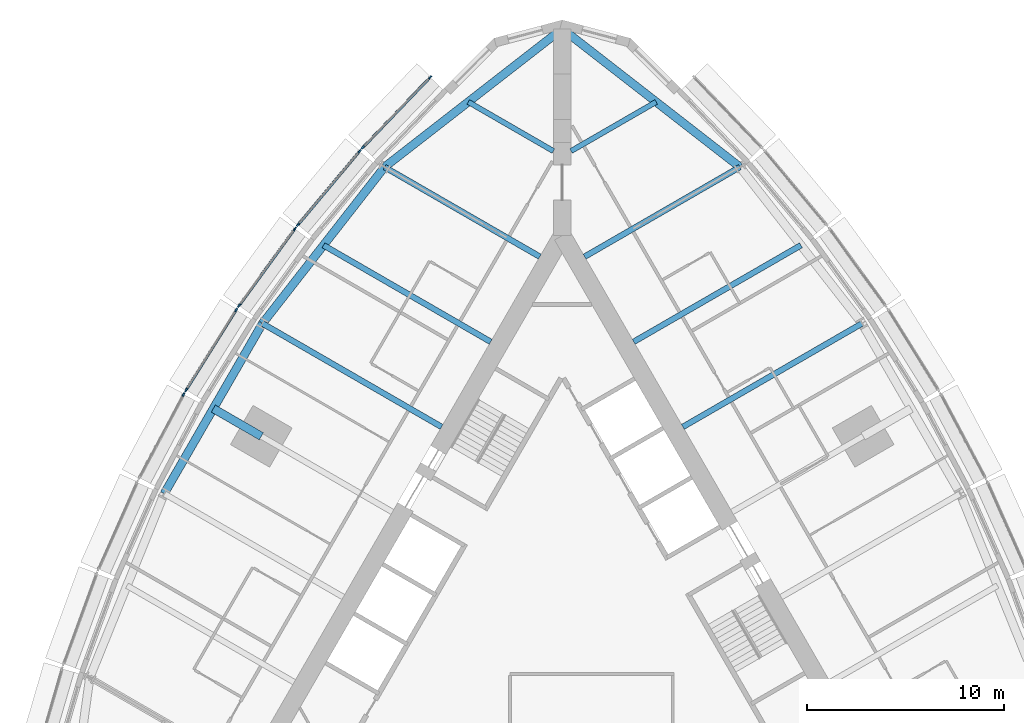
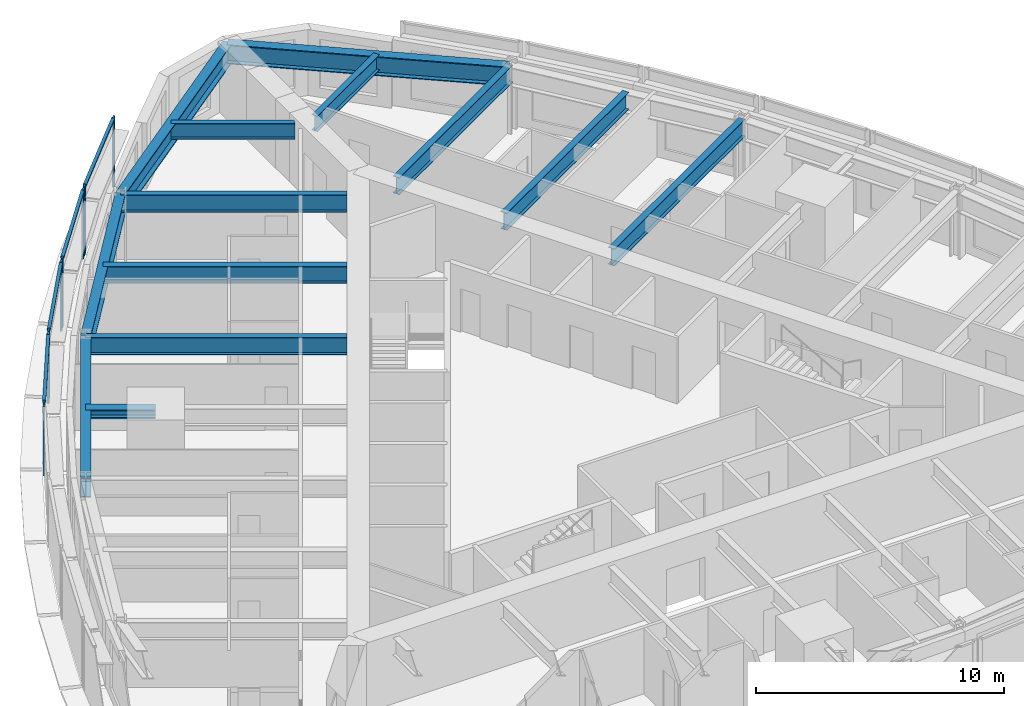
# One storey, part 4 of 14: 13 beams, 13 members, 5 elements without a shape of their own.
"""IFC4 building model written with IfcOpenShell, lengths in metres."""

from ifc_helpers import new_model, si_unit, direction, frame, origin, origin_2d, place, context, subcontext, project, spatial, rectangle, i_section, extrude, material, material_profile, profile_set, type_object, element, aggregate, save


model = new_model("IFC4")

# Units and contexts
model_context = context("Model", 3, precision=1e-05, world=origin(), true_north=direction((0.0, 1.0)))
body_context = subcontext(model_context, "Body", "Model", "MODEL_VIEW")
ifc_project = project(units=[si_unit("LENGTHUNIT", "METRE"), si_unit("AREAUNIT", "SQUARE_METRE"), si_unit("VOLUMEUNIT", "CUBIC_METRE"), si_unit("PLANEANGLEUNIT", "RADIAN"), si_unit("MASSUNIT", "GRAM", prefix="KILO")], contexts=[model_context])

# Site, building, storey
site_placement = place(None, origin())
site = spatial("IfcSite", under=ifc_project, at=site_placement, CompositionType="ELEMENT")
building_placement = place(site_placement, origin())
building = spatial("IfcBuilding", under=site, at=building_placement, Name="Trikona Tower", CompositionType="ELEMENT")
storey_placement = place(building_placement, frame((0.0, 0.0, 165.699951171875)))
storey = spatial("IfcBuildingStorey", under=building, at=storey_placement, Name="L44", CompositionType="ELEMENT", Elevation=165.699951171875)

# Curtain wall, members
ifc_material_1 = material(Name="Aluminium curtain wall system", Category="aluminium")
curtain_wall_type = type_object("IfcCurtainWallType", Name="Curtain wall DS2", PredefinedType="NOTDEFINED", material=ifc_material_1)
curtain_wall_1_placement = place(storey_placement, origin())
curtain_wall_1 = element("IfcCurtainWall", 1, at=curtain_wall_1_placement, inside=storey, type_object=curtain_wall_type, Name="Curtain wall DS2 L44", PredefinedType="NOTDEFINED")
ifc_material_2 = material(Name="Aluminium mullion, pale anodised", Category="aluminium")
ifc_material_profile_1 = material_profile(ifc_material_2, rectangle(XDim=0.080078125, YDim=0.199951171875, at=origin_2d()), Name="MUL-DS2")
ifc_profile_set_1 = profile_set([ifc_material_profile_1], Name="Aluminium mullion, pale anodised")
member_type_1 = type_object("IfcMemberType", Name="Mullion DS2 80x200", PredefinedType="MULLION", material=ifc_profile_set_1)
member_1_placement = place(storey_placement, frame((-6.718994140625, 27.1083984375, 0.0), z_axis=(0.0, 0.0, 1.0), x_axis=(0.722158330767, -0.691727797117, 0.0)))
member_1 = element("IfcMember", 2, at=member_1_placement, type_object=member_type_1, Name="CW-DS2 mullion 1", PredefinedType="MULLION", context=body_context, shape_type="SweptSolid", body=[
    extrude(rectangle(XDim=0.080078125, YDim=0.199951171875, at=origin_2d()), origin(), (0.0, 0.0, 1.0), 3.400146484375),
])
member_2_placement = place(storey_placement, frame((-10.1416015625, 23.535400390625, 0.0), z_axis=(0.0, 0.0, 1.0), x_axis=(0.722158330767, -0.691727797117, 0.0)))
member_2 = element("IfcMember", 3, at=member_2_placement, type_object=member_type_1, Name="CW-DS2 mullion 2", PredefinedType="MULLION", context=body_context, shape_type="SweptSolid", body=[
    extrude(rectangle(XDim=0.080078125, YDim=0.199951171875, at=origin_2d()), origin(), (0.0, 0.0, 1.0), 3.400146484375),
])

curtain_wall_2_placement = place(storey_placement, origin())
curtain_wall_2 = element("IfcCurtainWall", 4, at=curtain_wall_2_placement, inside=storey, type_object=curtain_wall_type, Name="Curtain wall DS2 L44", PredefinedType="NOTDEFINED")
member_3_placement = place(storey_placement, frame((-10.315185546875, 23.34130859375, 0.0), z_axis=(0.0, 0.0, 1.0), x_axis=(0.766866678271, -0.641806433248, 0.0)))
member_3 = element("IfcMember", 5, at=member_3_placement, type_object=member_type_1, Name="CW-DS2 mullion 1", PredefinedType="MULLION", context=body_context, shape_type="SweptSolid", body=[
    extrude(rectangle(XDim=0.080078125, YDim=0.199951171875, at=origin_2d()), origin(), (0.0, 0.0, 1.0), 3.400146484375),
])
member_4_placement = place(storey_placement, frame((-13.44482421875, 19.602294921875, 0.0), z_axis=(0.0, 0.0, 1.0), x_axis=(0.766866678271, -0.641806433248, 0.0)))
member_4 = element("IfcMember", 6, at=member_4_placement, type_object=member_type_1, Name="CW-DS2 mullion 2", PredefinedType="MULLION", context=body_context, shape_type="SweptSolid", body=[
    extrude(rectangle(XDim=0.080078125, YDim=0.199951171875, at=origin_2d()), origin(), (0.0, 0.0, 1.0), 3.400146484375),
])

curtain_wall_3_placement = place(storey_placement, origin())
curtain_wall_3 = element("IfcCurtainWall", 7, at=curtain_wall_3_placement, inside=storey, type_object=curtain_wall_type, Name="Curtain wall DS2 L44", PredefinedType="NOTDEFINED")
member_5_placement = place(storey_placement, frame((-13.605712890625, 19.39599609375, 0.0), z_axis=(0.0, 0.0, 1.0), x_axis=(0.80908576332, -0.587690588313, 0.0)))
member_5 = element("IfcMember", 8, at=member_5_placement, type_object=member_type_1, Name="CW-DS2 mullion 1", PredefinedType="MULLION", context=body_context, shape_type="SweptSolid", body=[
    extrude(rectangle(XDim=0.080078125, YDim=0.199951171875, at=origin_2d()), origin(), (0.0, 0.0, 1.0), 3.400146484375),
])
member_6_placement = place(storey_placement, frame((-16.442626953125, 15.489990234375, 0.0), z_axis=(0.0, 0.0, 1.0), x_axis=(0.80908576332, -0.587690588313, 0.0)))
member_6 = element("IfcMember", 9, at=member_6_placement, type_object=member_type_1, Name="CW-DS2 mullion 2", PredefinedType="MULLION", context=body_context, shape_type="SweptSolid", body=[
    extrude(rectangle(XDim=0.080078125, YDim=0.199951171875, at=origin_2d()), origin(), (0.0, 0.0, 1.0), 3.400146484375),
])

curtain_wall_4_placement = place(storey_placement, origin())
curtain_wall_4 = element("IfcCurtainWall", 10, at=curtain_wall_4_placement, inside=storey, type_object=curtain_wall_type, Name="Curtain wall DS2 L44", PredefinedType="NOTDEFINED")
member_7_placement = place(storey_placement, frame((-16.589599609375, 15.2724609375, 0.0), z_axis=(0.0, 0.0, 1.0), x_axis=(0.847998304006, -0.529998940002, 0.0)))
member_7 = element("IfcMember", 11, at=member_7_placement, type_object=member_type_1, Name="CW-DS2 mullion 1", PredefinedType="MULLION", context=body_context, shape_type="SweptSolid", body=[
    extrude(rectangle(XDim=0.080078125, YDim=0.199951171875, at=origin_2d()), origin(), (0.0, 0.0, 1.0), 3.400146484375),
])
member_8_placement = place(storey_placement, frame((-19.135009765625, 11.199462890625, 0.0), z_axis=(0.0, 0.0, 1.0), x_axis=(0.847998304006, -0.529998940002, 0.0)))
member_8 = element("IfcMember", 12, at=member_8_placement, type_object=member_type_1, Name="CW-DS2 mullion 2", PredefinedType="MULLION", context=body_context, shape_type="SweptSolid", body=[
    extrude(rectangle(XDim=0.080078125, YDim=0.199951171875, at=origin_2d()), origin(), (0.0, 0.0, 1.0), 3.400146484375),
])

# Curtain wall, member
curtain_wall_5_placement = place(storey_placement, origin())
curtain_wall_5 = element("IfcCurtainWall", 13, at=curtain_wall_5_placement, inside=storey, type_object=curtain_wall_type, Name="Curtain wall DS2 L44", PredefinedType="NOTDEFINED")
member_9_placement = place(storey_placement, frame((-19.2666015625, 10.9716796875, 0.0), z_axis=(0.0, 0.0, 1.0), x_axis=(0.882996107343, -0.469380308937, 0.0)))
member_9 = element("IfcMember", 14, at=member_9_placement, type_object=member_type_1, Name="CW-DS2 mullion 1", PredefinedType="MULLION", context=body_context, shape_type="SweptSolid", body=[
    extrude(rectangle(XDim=0.080078125, YDim=0.199951171875, at=origin_2d()), origin(), (0.0, 0.0, 1.0), 3.400146484375),
])
aggregate(curtain_wall_5, [member_9])

# Beams
ifc_material_3 = material(Name="Steel ASTM A992 Grade 50", Category="steel")
ifc_material_profile_2 = material_profile(ifc_material_3, i_section(OverallWidth=0.419189453125, OverallDepth=0.45458984375, WebThickness=0.042236328125, FlangeThickness=0.067626953125, at=origin_2d()), Name="W14X370")
ifc_profile_set_2 = profile_set([ifc_material_profile_2], Name="Steel ASTM A992 Grade 50")
beam_type_1 = type_object("IfcBeamType", Name="Steel beam W14x370 (apex bracket)", PredefinedType="BEAM", material=ifc_profile_set_2)
beam_1_placement = place(storey_placement, frame((-15.311767578125, 8.84033203125, 3.0078125), z_axis=(-0.86605005072, 0.499957307824, 0.0), x_axis=(-0.499957307824, -0.86605005072, 0.0)))
element("IfcBeam", 15, at=beam_1_placement, inside=storey, type_object=beam_type_1, Name="Cantilever bracket L45 F3", PredefinedType="BEAM", context=body_context, shape_type="SweptSolid", body=[
    extrude(i_section(OverallWidth=0.419189453125, OverallDepth=0.45458984375, WebThickness=0.042236328125, FlangeThickness=0.067626953125, at=origin_2d()), origin(), (0.0, 0.0, 1.0), 2.819580078125),
])
ifc_material_4 = material(Name="Steel ASTM A992 Grade 50", Category="steel")
ifc_material_profile_3 = material_profile(ifc_material_4, i_section(OverallWidth=0.2666015625, OverallDepth=0.76953125, WebThickness=0.015625, FlangeThickness=0.025390625, at=origin_2d()), Name="W30X132")
ifc_profile_set_3 = profile_set([ifc_material_profile_3], Name="Steel ASTM A992 Grade 50")
beam_type_2 = type_object("IfcBeamType", Name="Steel beam W30x132 (wedge)", PredefinedType="BEAM", material=ifc_profile_set_3)
for number, where, z_axis, x_axis, name in (
    (16, (0.449951171875, 23.353759765625, 2.850341796875), (0.866038434829, 0.49997742889, 0.0), (-0.49997742889, 0.866038434829, 0.0), "Floor beam L45 F2 u20"),
    (17, (-0.449951171875, 23.353759765625, 2.850341796875), (-0.866038434829, 0.49997742889, 0.0), (-0.49997742889, -0.866038434829, 0.0), "Floor beam L45 F3 u-20"),
):
    element("IfcBeam", number, at=place(storey_placement, frame(where, z_axis=z_axis, x_axis=x_axis)), inside=storey, type_object=beam_type_2, Name=name, PredefinedType="BEAM", context=body_context, shape_type="SweptSolid", body=[
        extrude(i_section(OverallWidth=0.2666015625, OverallDepth=0.76953125, WebThickness=0.015625, FlangeThickness=0.025390625, at=origin_2d()), origin(), (0.0, 0.0, 1.0), 5.000732421875),
    ])
ifc_material_5 = material(Name="Steel ASTM A992 Grade 50", Category="steel")
ifc_material_profile_4 = material_profile(ifc_material_5, i_section(OverallWidth=0.2919921875, OverallDepth=0.845703125, WebThickness=0.015380859375, FlangeThickness=0.0244140625, at=origin_2d()), Name="W33X141")
ifc_profile_set_4 = profile_set([ifc_material_profile_4], Name="Steel ASTM A992 Grade 50")
beam_type_3 = type_object("IfcBeamType", Name="Steel beam W33x141 (radial typ)", PredefinedType="BEAM", material=ifc_profile_set_4)
beam_2_placement = place(storey_placement, frame((6.1396484375, 9.318359375, 2.812255859375), z_axis=(0.866036080828, 0.499981506362, 0.0), x_axis=(-0.499981506362, 0.866036080828, 0.0)))
element("IfcBeam", 18, at=beam_2_placement, inside=storey, type_object=beam_type_3, Name="Floor beam L45 F2 u5", PredefinedType="BEAM", context=body_context, shape_type="SweptSolid", body=[
    extrude(i_section(OverallWidth=0.2919921875, OverallDepth=0.845703125, WebThickness=0.015380859375, FlangeThickness=0.0244140625, at=origin_2d()), origin(), (0.0, 0.0, 1.0), 10.52392578125),
])
beam_3_placement = place(storey_placement, frame((3.6396484375, 13.6484375, 2.812255859375), z_axis=(0.866030807744, 0.499990639951, 0.0), x_axis=(-0.499990639951, 0.866030807744, 0.0)))
element("IfcBeam", 19, at=beam_3_placement, inside=storey, type_object=beam_type_3, Name="Floor beam L45 F2 u10", PredefinedType="BEAM", context=body_context, shape_type="SweptSolid", body=[
    extrude(i_section(OverallWidth=0.2919921875, OverallDepth=0.845703125, WebThickness=0.015380859375, FlangeThickness=0.0244140625, at=origin_2d()), origin(), (0.0, 0.0, 1.0), 9.823974609375),
])
for number, where, z_axis, x_axis, name in (
    (20, (1.1396484375, 17.978515625, 2.812255859375), (0.866024725532, 0.500001174766, 0.0), (-0.500001174766, 0.866024725532, 0.0), "Floor beam L45 F2 u15"),
    (21, (-1.1396484375, 17.978515625, 2.812255859375), (-0.866024725532, 0.500001174766, 0.0), (-0.500001174766, -0.866024725532, 0.0), "Floor beam L45 F3 u-15"),
):
    element("IfcBeam", number, at=place(storey_placement, frame(where, z_axis=z_axis, x_axis=x_axis)), inside=storey, type_object=beam_type_3, Name=name, PredefinedType="BEAM", context=body_context, shape_type="SweptSolid", body=[
        extrude(i_section(OverallWidth=0.2919921875, OverallDepth=0.845703125, WebThickness=0.015380859375, FlangeThickness=0.0244140625, at=origin_2d()), origin(), (0.0, 0.0, 1.0), 9.1240234375),
    ])
beam_4_placement = place(storey_placement, frame((-3.6396484375, 13.6484375, 2.812255859375), z_axis=(-0.866030807744, 0.499990639951, 0.0), x_axis=(-0.499990639951, -0.866030807744, 0.0)))
element("IfcBeam", 22, at=beam_4_placement, inside=storey, type_object=beam_type_3, Name="Floor beam L45 F3 u-10", PredefinedType="BEAM", context=body_context, shape_type="SweptSolid", body=[
    extrude(i_section(OverallWidth=0.2919921875, OverallDepth=0.845703125, WebThickness=0.015380859375, FlangeThickness=0.0244140625, at=origin_2d()), origin(), (0.0, 0.0, 1.0), 9.823974609375),
])
beam_5_placement = place(storey_placement, frame((-6.1396484375, 9.318359375, 2.812255859375), z_axis=(-0.866036080828, 0.499981506362, 0.0), x_axis=(-0.499981506362, -0.866036080828, 0.0)))
element("IfcBeam", 23, at=beam_5_placement, inside=storey, type_object=beam_type_3, Name="Floor beam L45 F3 u-5", PredefinedType="BEAM", context=body_context, shape_type="SweptSolid", body=[
    extrude(i_section(OverallWidth=0.2919921875, OverallDepth=0.845703125, WebThickness=0.015380859375, FlangeThickness=0.0244140625, at=origin_2d()), origin(), (0.0, 0.0, 1.0), 10.52392578125),
])
ifc_material_6 = material(Name="Steel ASTM A992 Grade 50", Category="steel")
ifc_material_profile_5 = material_profile(ifc_material_6, i_section(OverallWidth=0.424072265625, OverallDepth=0.947509765625, WebThickness=0.02392578125, FlangeThickness=0.042724609375, at=origin_2d()), Name="W36X302")
ifc_profile_set_5 = profile_set([ifc_material_profile_5], Name="Steel ASTM A992 Grade 50")
beam_type_4 = type_object("IfcBeamType", Name="Steel beam W36x302 (spandrel)", PredefinedType="SPANDREL", material=ifc_profile_set_5)
for number, where, z_axis, x_axis, name in (
    (24, (9.041259765625, 22.54052734375, 2.76123046875), (-0.789367137808, 0.613921429621, 0.0), (-0.613921429621, -0.789367137808, 0.0), "Spandrel beam L45 F2-5"),
    (25, (0.0, 29.572265625, 2.76123046875), (-0.789367137808, -0.613921429621, 0.0), (0.613921429621, -0.789367137808, 0.0), "Spandrel beam L45 F3-1"),
):
    element("IfcBeam", number, at=place(storey_placement, frame(where, z_axis=z_axis, x_axis=x_axis)), inside=storey, type_object=beam_type_4, Name=name, PredefinedType="SPANDREL", context=body_context, shape_type="SweptSolid", body=[
        extrude(i_section(OverallWidth=0.424072265625, OverallDepth=0.947509765625, WebThickness=0.02392578125, FlangeThickness=0.042724609375, at=origin_2d()), origin(), (0.0, 0.0, 1.0), 11.453857421875),
    ])
beam_6_placement = place(storey_placement, frame((-9.041259765625, 22.54052734375, 2.76123046875), z_axis=(-0.615232009054, -0.788346101046, 0.0), x_axis=(0.788346101046, -0.615232009054, 0.0)))
element("IfcBeam", 26, at=beam_6_placement, inside=storey, type_object=beam_type_4, Name="Spandrel beam L45 F3-2", PredefinedType="SPANDREL", context=body_context, shape_type="SweptSolid", body=[
    extrude(i_section(OverallWidth=0.424072265625, OverallDepth=0.947509765625, WebThickness=0.02392578125, FlangeThickness=0.042724609375, at=origin_2d()), origin(), (0.0, 0.0, 1.0), 10.09765625),
])
beam_7_placement = place(storey_placement, frame((-15.253662109375, 14.580078125, 2.76123046875), z_axis=(-0.500004234368, -0.866022959057, 0.0), x_axis=(0.866022959057, -0.500004234368, 0.0)))
element("IfcBeam", 27, at=beam_7_placement, inside=storey, type_object=beam_type_4, Name="Spandrel beam L45 F3-3", PredefinedType="SPANDREL", context=body_context, shape_type="SweptSolid", body=[
    extrude(i_section(OverallWidth=0.424072265625, OverallDepth=0.947509765625, WebThickness=0.02392578125, FlangeThickness=0.042724609375, at=origin_2d()), origin(), (0.0, 0.0, 1.0), 10.0),
])

# Member
ifc_material_7 = material(Name="Aluminium transom, pale anodised", Category="aluminium")
ifc_material_profile_6 = material_profile(ifc_material_7, rectangle(XDim=0.139892578125, YDim=0.080078125, at=origin_2d()), Name="TRN-DS2")
ifc_profile_set_6 = profile_set([ifc_material_profile_6], Name="Aluminium transom, pale anodised")
member_type_2 = type_object("IfcMemberType", Name="Transom DS2 80x140", PredefinedType="USERDEFINED", material=ifc_profile_set_6)
member_10_placement = place(storey_placement, frame((-6.746826171875, 27.07958984375, 3.360107421875), z_axis=(-0.691721246785, -0.722164605022, 0.0), x_axis=(0.722164605022, -0.691721246785, 0.0)))
member_10 = element("IfcMember", 28, at=member_10_placement, type_object=member_type_2, Name="CW-DS2 transom 1.1", ObjectType="TRANSOM", PredefinedType="USERDEFINED", context=body_context, shape_type="SweptSolid", body=[
    extrude(rectangle(XDim=0.139892578125, YDim=0.080078125, at=origin_2d()), origin(), (0.0, 0.0, 1.0), 4.867919921875),
])

aggregate(curtain_wall_1, [member_1, member_2, member_10])

member_11_placement = place(storey_placement, frame((-10.341064453125, 23.310791015625, 3.360107421875), z_axis=(-0.641770294892, -0.766896921753, 0.0), x_axis=(0.766896921753, -0.641770294892, 0.0)))
member_11 = element("IfcMember", 29, at=member_11_placement, type_object=member_type_2, Name="CW-DS2 transom 1.1", ObjectType="TRANSOM", PredefinedType="USERDEFINED", context=body_context, shape_type="SweptSolid", body=[
    extrude(rectangle(XDim=0.139892578125, YDim=0.080078125, at=origin_2d()), origin(), (0.0, 0.0, 1.0), 4.7958984375),
])

aggregate(curtain_wall_2, [member_3, member_4, member_11])

member_12_placement = place(storey_placement, frame((-13.629150390625, 19.363525390625, 3.360107421875), z_axis=(-0.587694585883, -0.809082859616, 0.0), x_axis=(0.809082859616, -0.587694585883, 0.0)))
member_12 = element("IfcMember", 30, at=member_12_placement, type_object=member_type_2, Name="CW-DS2 transom 1.1", ObjectType="TRANSOM", PredefinedType="USERDEFINED", context=body_context, shape_type="SweptSolid", body=[
    extrude(rectangle(XDim=0.139892578125, YDim=0.080078125, at=origin_2d()), origin(), (0.0, 0.0, 1.0), 4.747314453125),
])

aggregate(curtain_wall_3, [member_5, member_6, member_12])

member_13_placement = place(storey_placement, frame((-16.610595703125, 15.238525390625, 3.360107421875), z_axis=(-0.530031463794, -0.847977975769, 0.0), x_axis=(0.847977975769, -0.530031463794, 0.0)))
member_13 = element("IfcMember", 31, at=member_13_placement, type_object=member_type_2, Name="CW-DS2 transom 1.1", ObjectType="TRANSOM", PredefinedType="USERDEFINED", context=body_context, shape_type="SweptSolid", body=[
    extrude(rectangle(XDim=0.139892578125, YDim=0.080078125, at=origin_2d()), origin(), (0.0, 0.0, 1.0), 4.72314453125),
])

aggregate(curtain_wall_4, [member_7, member_8, member_13])

save(model, "model.ifc")
